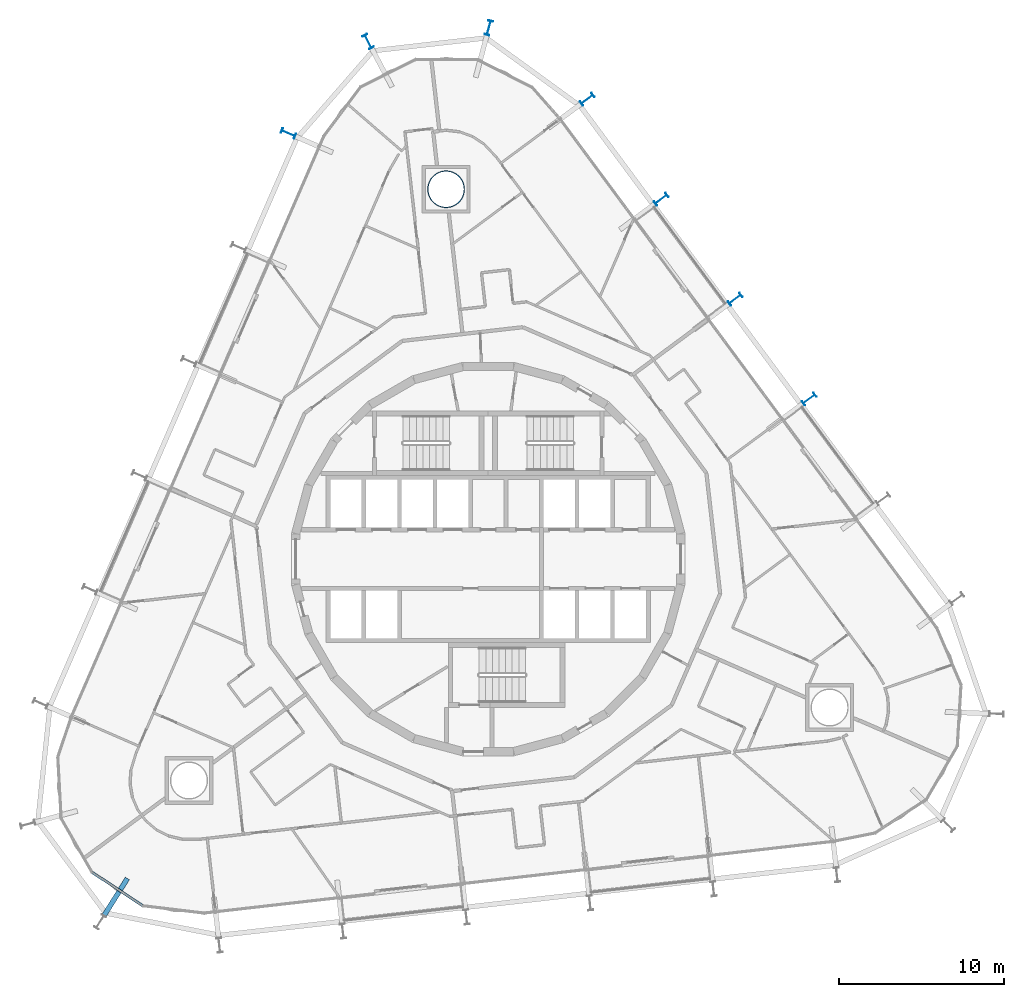
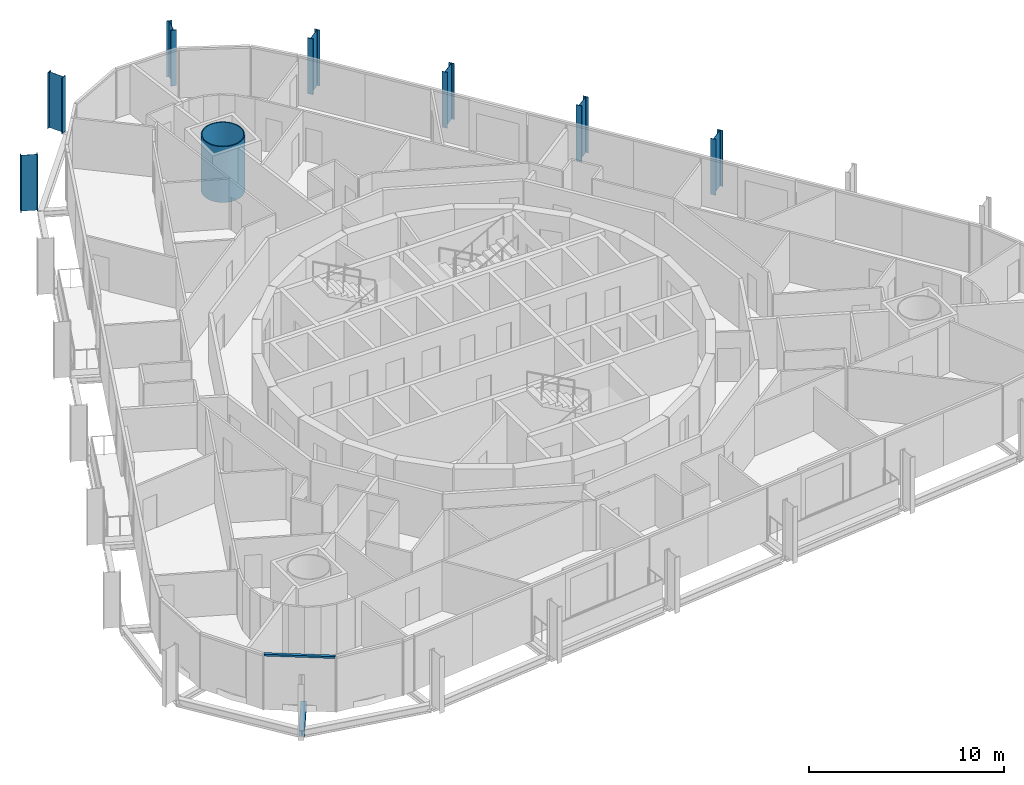
# One storey, part 2 of 21: 8 columns, 1 beam, 1 member, 1 element without a shape of its own.
"""IFC4 building model written with IfcOpenShell, lengths in metres."""

from ifc_helpers import new_model, si_unit, direction, frame, origin, origin_2d, place, context, subcontext, project, spatial, rectangle, hollow_circle, i_section, extrude, material, layer, layer_set, material_profile, profile_set, type_object, element, aggregate, save


model = new_model("IFC4")

# Units and contexts
model_context = context("Model", 3, precision=1e-05, world=origin(), true_north=direction((0.0, 1.0)))
body_context = subcontext(model_context, "Body", "Model", "MODEL_VIEW")
ifc_project = project(units=[si_unit("LENGTHUNIT", "METRE"), si_unit("AREAUNIT", "SQUARE_METRE"), si_unit("VOLUMEUNIT", "CUBIC_METRE"), si_unit("PLANEANGLEUNIT", "RADIAN"), si_unit("MASSUNIT", "GRAM", prefix="KILO")], contexts=[model_context])

# Site, building, storey
site_placement = place(None, origin())
site = spatial("IfcSite", under=ifc_project, at=site_placement, CompositionType="ELEMENT")
building_placement = place(site_placement, origin())
building = spatial("IfcBuilding", under=site, at=building_placement, Name="Spindle Arch Residences", CompositionType="ELEMENT")
storey_placement = place(building_placement, frame((0.0, 0.0, 97.699951171875)))
storey = spatial("IfcBuildingStorey", under=building, at=storey_placement, Name="L23", CompositionType="ELEMENT", Elevation=97.699951171875)

# Columns
ifc_material_1 = material(Name="Steel S460ML, intumescent coating R 240", Category="steel")
ifc_material_profile_1 = material_profile(ifc_material_1, i_section(OverallWidth=0.300048828125, OverallDepth=0.89990234375, WebThickness=0.0185546875, FlangeThickness=0.034912109375, FilletRadius=0.030029296875, at=origin_2d()), Name="HEB 900")
ifc_profile_set_1 = profile_set([ifc_material_profile_1], Name="Steel S460ML, intumescent coating R 240")
column_type_1 = type_object("IfcColumnType", Name="Exoskeleton post HEB 900", PredefinedType="COLUMN", material=ifc_profile_set_1)
for number, where, z_axis, x_axis, name in (
    (1, (19.404541015625, 9.681884765625, -0.3798828125), (0.0, 0.0, 1.0), (0.594822857897, -0.803856807972, 0.0), "Exoskeleton post 8"),
    (2, (14.93212890625, 15.72607421875, -0.3798828125), (0.0, 0.0, 1.0), (0.594822857897, -0.803856807972, 0.0), "Exoskeleton post 9"),
    (3, (10.459716796875, 21.77001953125, -0.3798828125), (0.0, 0.0, 1.0), (0.594822857897, -0.803856807972, 0.0), "Exoskeleton post 10"),
    (4, (5.987548828125, 27.814208984375, -0.3798828125), (0.0, 0.0, 1.0), (0.594822857897, -0.803856807972, 0.0), "Exoskeleton post 11"),
    (5, (0.035888671875, 32.134033203125, -0.3798828125), (0.0, 0.0, 1.0), (0.966704856799, -0.255893962102, 0.0), "Exoskeleton post 12"),
    (6, (-7.263427734375, 31.302490234375, -0.3798828125), (0.0, 0.0, 1.0), (0.884364605378, 0.466796791715, 0.0), "Exoskeleton post 13"),
    (7, (-12.0908203125, 25.75439453125, -0.3798828125), (0.0, 0.0, 1.0), (0.398749038162, 0.917060087761, 0.0), "Exoskeleton post 14"),
):
    element("IfcColumn", number, at=place(storey_placement, frame(where, z_axis=z_axis, x_axis=x_axis)), inside=storey, type_object=column_type_1, Name=name, PredefinedType="COLUMN", context=body_context, shape_type="SweptSolid", body=[
        extrude(i_section(OverallWidth=0.300048828125, OverallDepth=0.89990234375, WebThickness=0.0185546875, FlangeThickness=0.034912109375, FilletRadius=0.030029296875, at=origin_2d()), origin(), (0.0, 0.0, 1.0), 3.5),
    ])
ifc_material_2 = material(Name="Concrete C50/60 filled steel tube S460ML, intumescent coating R 240", Category="concrete")
ifc_material_profile_2 = material_profile(ifc_material_2, hollow_circle(Radius=1.125, WallThickness=0.054931640625, at=origin_2d()), Name="CFT D2250x55")
ifc_profile_set_2 = profile_set([ifc_material_profile_2], Name="Concrete C50/60 filled steel tube S460ML, intumescent coating R 240")
column_type_2 = type_object("IfcColumnType", Name="Mega-column CFT D2250x55", PredefinedType="COLUMN", material=ifc_profile_set_2)
column_placement = place(storey_placement, frame((-2.548828125, 22.370361328125, -0.3798828125), z_axis=(0.0, 0.0, 1.0), x_axis=(1.0, 0.0, 0.0)))
element("IfcColumn", 8, at=column_placement, inside=storey, type_object=column_type_2, Name="Mega-column 2", PredefinedType="COLUMN", context=body_context, shape_type="SweptSolid", body=[
    extrude(hollow_circle(Radius=1.125, WallThickness=0.054931640625, at=origin_2d()), origin(), (0.0, 0.0, 1.0), 3.5),
])

# Curtain wall, member
ifc_material_3 = material(Name="Aluminium bronze unitised frame with tinted glass", Category="aluminium")
ifc_layer = layer(ifc_material_3, 0.159912109375)
ifc_layer_set = layer_set([ifc_layer], Name="CW-D corner wall on the fillet arcs")
curtain_wall_type = type_object("IfcCurtainWallType", Name="CW-D corner wall on the fillet arcs", PredefinedType="NOTDEFINED", material=ifc_layer_set)
curtain_wall_placement = place(storey_placement, origin())
curtain_wall = element("IfcCurtainWall", 9, at=curtain_wall_placement, inside=storey, type_object=curtain_wall_type, Name="CW-D L23 run 5", PredefinedType="NOTDEFINED")
ifc_material_4 = material(Name="Aluminium bronze anodised transom", Category="aluminium")
ifc_material_profile_3 = material_profile(ifc_material_4, rectangle(XDim=0.159912109375, YDim=0.1201171875, at=origin_2d()), Name="TR 120x160")
ifc_profile_set_3 = profile_set([ifc_material_profile_3], Name="Aluminium bronze anodised transom")
member_type = type_object("IfcMemberType", Name="Bronze transom 120x160", PredefinedType="USERDEFINED", material=ifc_profile_set_3)
member_placement = place(storey_placement, frame((-23.967041015625, -18.936767578125, 3.06005859375), z_axis=(0.833899758412, -0.551915929214, 0.0), x_axis=(0.551915929214, 0.833899758412, 0.0)))
member = element("IfcMember", 10, at=member_placement, type_object=member_type, Name="CW-D transom 03", ObjectType="TRANSOM", PredefinedType="USERDEFINED", context=body_context, shape_type="SweptSolid", body=[
    extrude(rectangle(XDim=0.159912109375, YDim=0.1201171875, at=origin_2d()), origin(), (0.0, 0.0, 1.0), 3.666748046875),
])
aggregate(curtain_wall, [member])

# Beam
ifc_material_5 = material(Name="Steel S460ML, intumescent coating R 120", Category="steel")
ifc_material_profile_4 = material_profile(ifc_material_5, i_section(OverallWidth=0.300048828125, OverallDepth=0.389892578125, WebThickness=0.010986328125, FlangeThickness=0.01904296875, FilletRadius=0.027099609375, at=origin_2d()), Name="HEA 400")
ifc_profile_set_4 = profile_set([ifc_material_profile_4], Name="Steel S460ML, intumescent coating R 120")
beam_type = type_object("IfcBeamType", Name="Floor outrigger HEA 400", PredefinedType="BEAM", material=ifc_profile_set_4)
beam_placement = place(storey_placement, frame((-23.2373046875, -21.560546875, -0.574951171875), z_axis=(0.532414919102, 0.846483522532, 0.0), x_axis=(-0.846483522532, 0.532414919102, 0.0)))
element("IfcBeam", 11, at=beam_placement, inside=storey, type_object=beam_type, Name="Floor outrigger 21", PredefinedType="BEAM", context=body_context, shape_type="SweptSolid", body=[
    extrude(i_section(OverallWidth=0.300048828125, OverallDepth=0.389892578125, WebThickness=0.010986328125, FlangeThickness=0.01904296875, FilletRadius=0.027099609375, at=origin_2d()), origin(), (0.0, 0.0, 1.0), 2.64990234375),
])

save(model, "model.ifc")
